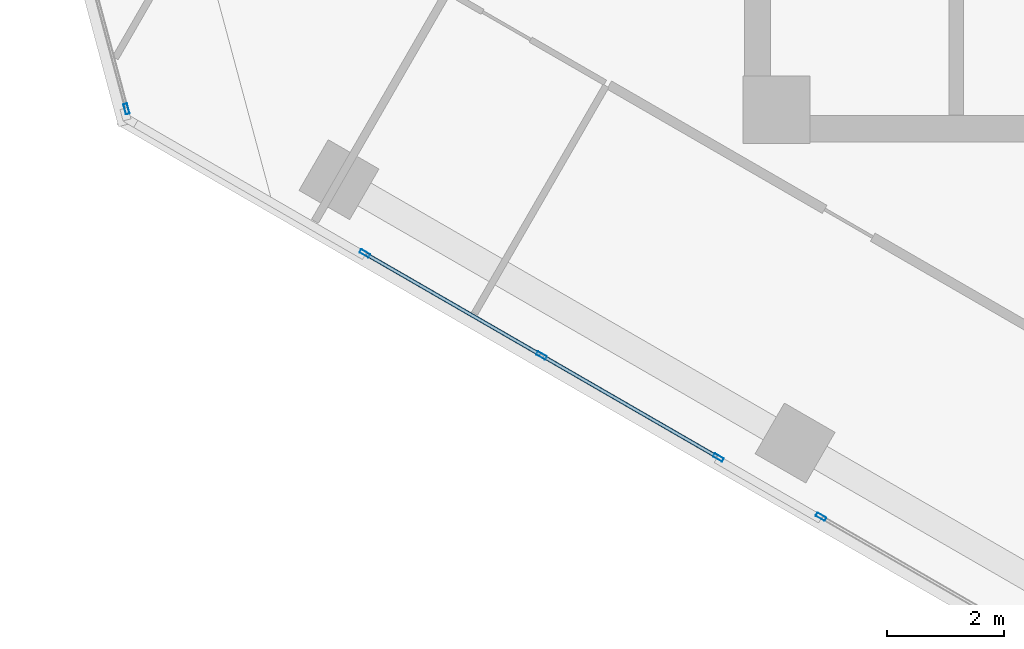
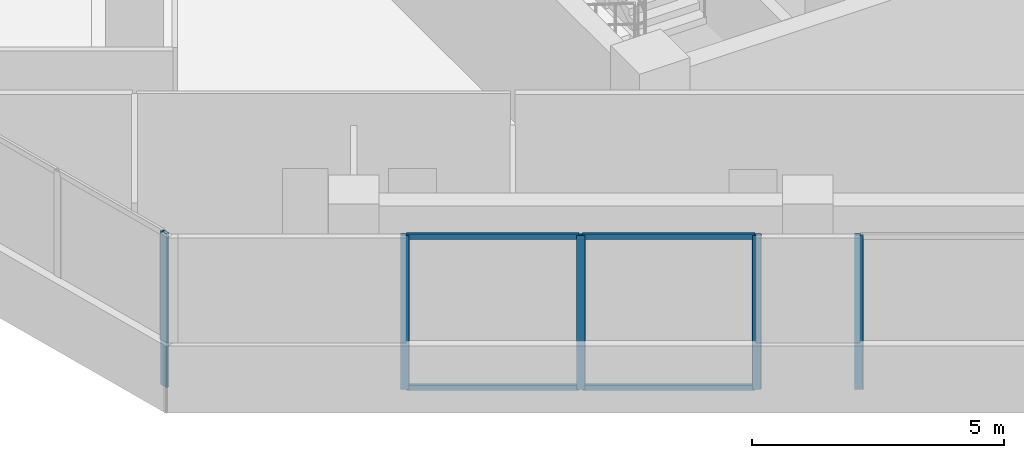
# One storey, part 2 of 21: 9 members, 3 elements without a shape of their own.
"""IFC4 building model written with IfcOpenShell, lengths in metres."""

import ifcopenshell
import ifcopenshell.guid

model = None  # the IFC model being written
_history = None  # IfcOwnerHistory: only IFC2X3 demands one
_inside = {}  # id of a spatial element -> (the spatial element, [elements in it])
_under = {}  # id of a project, library or spatial element -> (it, [spatial elements below it])
_declared = {}  # id of a project -> (the project, [libraries it declares])
_typed = {}  # id of a type object -> (the type object, [elements of that type])
_made_of = {}  # id of a material, layer set ... -> (it, [elements and type objects made of it])


def new_model(schema):
    """Start an empty IFC model of exactly this schema.

    Asked for "IFC4X3", IfcOpenShell would pick the latest addendum, in which some entities
    have other attributes; the version numbers below select the first issue.
    IFC2X3 requires an IfcOwnerHistory on every rooted entity: one is made here for all.
    """
    global model, _history
    if schema == "IFC4X3":
        model = ifcopenshell.file(schema_version=(4, 3, 0, 0))
    else:
        model = ifcopenshell.file(schema=schema)
    _inside.clear()
    _under.clear()
    _declared.clear()
    _typed.clear()
    _made_of.clear()
    _history = None
    if model.schema == "IFC2X3":
        org = make("IfcOrganization", Name="unknown")
        user = make(
            "IfcPersonAndOrganization",
            ThePerson=make("IfcPerson", FamilyName="unknown"),
            TheOrganization=org,
        )
        app = make(
            "IfcApplication",
            ApplicationDeveloper=org,
            Version="unknown",
            ApplicationFullName="unknown",
            ApplicationIdentifier="unknown",
        )
        _history = make(
            "IfcOwnerHistory",
            OwningUser=user,
            OwningApplication=app,
            ChangeAction="ADDED",
            CreationDate=0,
        )
    return model


def make(cls, **values):
    """One entity of the class cls with the attributes given. An attribute that is None is left unset."""
    return model.create_entity(
        cls, **{name: value for name, value in values.items() if value is not None}
    )


def rooted(cls, **values):
    """An entity with a GlobalId (a new one), such as an element, a storey or a relation."""
    return make(cls, GlobalId=ifcopenshell.guid.new(), OwnerHistory=_history, **values)


def si_unit(unit_type, name, prefix=None):
    """IfcSIUnit, for example si_unit("LENGTHUNIT", "METRE", prefix="MILLI")."""
    return make("IfcSIUnit", UnitType=unit_type, Prefix=prefix, Name=name)


def assignment(units):
    """IfcUnitAssignment: the units of a project."""
    return None if units is None else make("IfcUnitAssignment", Units=units)


def point(xyz):
    """IfcCartesianPoint."""
    return None if xyz is None else make("IfcCartesianPoint", Coordinates=xyz)


def direction(xyz):
    """IfcDirection."""
    return None if xyz is None else make("IfcDirection", DirectionRatios=xyz)


def frame(location, z_axis=None, x_axis=None):
    """IfcAxis2Placement3D, a coordinate frame: its origin and axes. An axis left out is left unset."""
    return make(
        "IfcAxis2Placement3D",
        Location=point(location),
        Axis=direction(z_axis),
        RefDirection=direction(x_axis),
    )


def frame_2d(location, x_axis=None):
    """IfcAxis2Placement2D, a coordinate frame in the plane: its origin and x axis."""
    return make(
        "IfcAxis2Placement2D", Location=point(location), RefDirection=direction(x_axis)
    )


def origin():
    """The frame at (0, 0, 0) with its axes left unset."""
    return frame((0.0, 0.0, 0.0))


def origin_2d():
    """The frame at (0, 0) in the plane with its x axis left unset."""
    return frame_2d((0.0, 0.0))


def place(relative_to, where):
    """IfcLocalPlacement: puts the frame where relative to a parent placement (None: the world)."""
    return make(
        "IfcLocalPlacement", PlacementRelTo=relative_to, RelativePlacement=where
    )


def context(
    kind, dimensions, precision=None, world=None, true_north=None, identifier=None
):
    """IfcGeometricRepresentationContext, for example the 3D "Model" context."""
    return make(
        "IfcGeometricRepresentationContext",
        ContextIdentifier=identifier,
        ContextType=kind,
        CoordinateSpaceDimension=dimensions,
        Precision=precision,
        WorldCoordinateSystem=world,
        TrueNorth=true_north,
    )


def subcontext(parent, identifier, kind, view, scale=None):
    """IfcGeometricRepresentationSubContext, for example "Body" below "Model"."""
    return make(
        "IfcGeometricRepresentationSubContext",
        ContextIdentifier=identifier,
        ContextType=kind,
        ParentContext=parent,
        TargetScale=scale,
        TargetView=view,
    )


def project(units=None, contexts=None):
    """IfcProject with its units and contexts."""
    return rooted(
        "IfcProject",
        Name="project",
        RepresentationContexts=contexts,
        UnitsInContext=assignment(units),
    )


def spatial(cls, under=None, at=None, **own):
    """A site, building, storey or space (cls), placed at a placement, below another one or the project."""
    s = rooted(cls, ObjectPlacement=at, **own)
    if under is not None:
        _under.setdefault(under.id(), (under, []))[1].append(s)
    return s


def profile(cls, at=None, kind="AREA", **sizes):
    """A parametric profile (cls). Its sizes go by their IFC names, for example OverallWidth=200.0."""
    return make(cls, ProfileType=kind, Position=at, **sizes)


def hollow_rectangle(**sizes):
    """IfcRectangleHollowProfileDef."""
    return profile("IfcRectangleHollowProfileDef", **sizes)


def extrude(swept, where, along, depth):
    """IfcExtrudedAreaSolid: the profile swept, set in the frame where, extruded along a direction by depth."""
    return make(
        "IfcExtrudedAreaSolid",
        SweptArea=swept,
        Position=where,
        ExtrudedDirection=direction(along),
        Depth=depth,
    )


def shape(context_of_items, identifier, shape_type, items):
    """IfcShapeRepresentation: the items that make up one representation, for example the "Body"."""
    return make(
        "IfcShapeRepresentation",
        ContextOfItems=context_of_items,
        RepresentationIdentifier=identifier,
        RepresentationType=shape_type,
        Items=items,
    )


def source(mapping_origin, context_of_items, identifier, shape_type, items):
    """IfcRepresentationMap: a shape defined once, which mapped items show again and again."""
    return make(
        "IfcRepresentationMap",
        MappingOrigin=mapping_origin,
        MappedRepresentation=shape(context_of_items, identifier, shape_type, items),
    )


def transform(
    local_origin,
    x_axis=None,
    y_axis=None,
    z_axis=None,
    scale=None,
    scale2=None,
    scale3=None,
    uniform=True,
):
    """IfcCartesianTransformationOperator3D, or its non-uniform kind. x_axis, y_axis, z_axis: its Axis1, 2, 3."""
    if uniform:
        return make(
            "IfcCartesianTransformationOperator3D",
            Axis1=direction(x_axis),
            Axis2=direction(y_axis),
            LocalOrigin=point(local_origin),
            Scale=scale,
            Axis3=direction(z_axis),
        )
    return make(
        "IfcCartesianTransformationOperator3DnonUniform",
        Axis1=direction(x_axis),
        Axis2=direction(y_axis),
        LocalOrigin=point(local_origin),
        Scale=scale,
        Axis3=direction(z_axis),
        Scale2=scale2,
        Scale3=scale3,
    )


def mapped(mapping_source, mapping_target):
    """IfcMappedItem: shows the shape of a source again, moved by a transform."""
    return make(
        "IfcMappedItem", MappingSource=mapping_source, MappingTarget=mapping_target
    )


def material(Name=None, Category=None):
    """IfcMaterial."""
    return make("IfcMaterial", Name=Name, Category=Category)


def material_profile(
    of_material, cross_section, Name=None, Category=None, Priority=None
):
    """IfcMaterialProfile: a cross section and its material."""
    return make(
        "IfcMaterialProfile",
        Name=Name,
        Material=of_material,
        Profile=cross_section,
        Priority=Priority,
        Category=Category,
    )


def profile_set(profiles, Name=None, composite=None):
    """IfcMaterialProfileSet."""
    return make(
        "IfcMaterialProfileSet",
        Name=Name,
        MaterialProfiles=profiles,
        CompositeProfile=composite,
    )


def made_of(thing, what):
    """Note that an element or type object is made of a material, layer set ...; save() writes the relation."""
    if what is not None:
        _made_of.setdefault(what.id(), (what, []))[1].append(thing)
    return thing


def type_object(cls, material=None, **own):
    """A type object (cls), such as IfcWallType, which elements share."""
    return made_of(rooted(cls, **own), material)


def element(
    cls,
    number,
    at=None,
    inside=None,
    cuts=None,
    type_object=None,
    material=None,
    context=None,
    identifier="Body",
    shape_type=None,
    held_by="IfcProductDefinitionShape",
    body=None,
    shapes=None,
    **own,
):
    """One element of the class cls, such as IfcWall. Its Tag is "e" and its number.

    at: its placement. inside: the storey or other place that contains it. cuts: it is an
    opening in that element (IfcRelVoidsElement). A single representation is given by context,
    identifier, shape_type and body (its items); several are given by shapes. held_by: the class
    of the entity that holds the representations. save() writes the other relations.
    """
    e = rooted(cls, Tag="e%d" % number, ObjectPlacement=at, **own)
    if body is not None:
        shapes = [shape(context, identifier, shape_type, body)]
    if shapes is not None:
        e.Representation = make(held_by, Representations=shapes)
    if inside is not None:
        _inside.setdefault(inside.id(), (inside, []))[1].append(e)
    if cuts is not None:
        rooted(
            "IfcRelVoidsElement", RelatingBuildingElement=cuts, RelatedOpeningElement=e
        )
    if type_object is not None:
        _typed.setdefault(type_object.id(), (type_object, []))[1].append(e)
    return made_of(e, material)


def aggregate(whole, parts):
    """IfcRelAggregates: a whole, such as a stair, and the parts it consists of."""
    return rooted("IfcRelAggregates", RelatingObject=whole, RelatedObjects=parts)


def save(model, path):
    """Write the relations noted so far, then the file.

    IfcRelAggregates (storeys below a building ...), IfcRelContainedInSpatialStructure (elements
    in a storey), IfcRelDefinesByType, IfcRelAssociatesMaterial and IfcRelDeclares: one each for
    every whole, place, type object, material and project.
    """
    for whole, parts in _under.values():
        aggregate(whole, parts)
    for where, things in _inside.values():
        rooted(
            "IfcRelContainedInSpatialStructure",
            RelatedElements=things,
            RelatingStructure=where,
        )
    for kind, things in _typed.values():
        rooted("IfcRelDefinesByType", RelatedObjects=things, RelatingType=kind)
    for what, things in _made_of.values():
        rooted("IfcRelAssociatesMaterial", RelatedObjects=things, RelatingMaterial=what)
    for by, libraries in _declared.values():
        rooted("IfcRelDeclares", RelatingContext=by, RelatedDefinitions=libraries)
    model.write(path)


model = new_model("IFC4")

# Units and contexts
model_context = context("Model", 3, precision=1e-05, world=origin(), true_north=direction((0.0, 1.0)))
body_context = subcontext(model_context, "Body", "Model", "MODEL_VIEW")
ifc_project = project(units=[si_unit("LENGTHUNIT", "METRE"), si_unit("AREAUNIT", "SQUARE_METRE"), si_unit("VOLUMEUNIT", "CUBIC_METRE"), si_unit("PLANEANGLEUNIT", "RADIAN"), si_unit("MASSUNIT", "GRAM", prefix="KILO")], contexts=[model_context])

# Site, building, storey
site_placement = place(None, origin())
site = spatial("IfcSite", under=ifc_project, at=site_placement, CompositionType="ELEMENT")
building_placement = place(site_placement, origin())
building = spatial("IfcBuilding", under=site, at=building_placement, Name="Torre Montelarca", CompositionType="ELEMENT")
storey_placement = place(building_placement, frame((0.0, 0.0, 179.199951171875)))
storey = spatial("IfcBuildingStorey", under=building, at=storey_placement, Name="L40", CompositionType="ELEMENT", Elevation=179.199951171875)

# Curtain wall, members
ifc_material_1 = material(Name="Insulated low-E laminated glass", Category="glass")
curtain_wall_type = type_object("IfcCurtainWallType", Name="CW-SYS-Z2", PredefinedType="USERDEFINED", material=ifc_material_1)
curtain_wall_1_placement = place(storey_placement, origin())
curtain_wall_1 = element("IfcCurtainWall", 1, at=curtain_wall_1_placement, inside=storey, type_object=curtain_wall_type, Name="L40 Curtain Wall Run CW-T3-L40-E01-B1", ObjectType="UNITISED GLAZING", PredefinedType="USERDEFINED")
ifc_material_2 = material(Name="Anodised aluminium AA 6063-T6", Category="aluminium")
ifc_material_profile_1 = material_profile(ifc_material_2, hollow_rectangle(XDim=0.06494140625, YDim=0.179931640625, WallThickness=0.00390625, InnerFilletRadius=0.00390625, OuterFilletRadius=0.008056640625, at=origin_2d()), Name="ALU65X180X4", Category="aluminium")
ifc_profile_set_1 = profile_set([ifc_material_profile_1], Name="Anodised aluminium AA 6063-T6")
member_type_1 = type_object("IfcMemberType", Name="CWM-ALU180", PredefinedType="MULLION", material=ifc_profile_set_1)
shared_shape_1 = source(origin(), body_context, "Body", "SweptSolid", [
    extrude(hollow_rectangle(XDim=0.06494140625, YDim=0.179931640625, WallThickness=0.00390625, InnerFilletRadius=0.00390625, OuterFilletRadius=0.008056640625, at=origin_2d()), origin(), (0.0, 0.0, 1.0), 3.719970703125),
])
member_1_placement = place(storey_placement, frame((2.5166015625, 22.0947265625, 0.0), z_axis=(0.0, 0.0, 1.0), x_axis=(0.500001158972, 0.866024734651, 0.0)))
member_1 = element("IfcMember", 2, at=member_1_placement, type_object=member_type_1, Name="CW mullion 1", PredefinedType="MULLION", context=body_context, shape_type="MappedRepresentation", body=[
    mapped(shared_shape_1, transform((0.0, 0.0, 0.0), scale=1.0)),
])
member_2_placement = place(storey_placement, frame((5.536865234375, 20.350830078125, 0.0), z_axis=(0.0, 0.0, 1.0), x_axis=(0.500001158972, 0.866024734651, 0.0)))
member_2 = element("IfcMember", 3, at=member_2_placement, type_object=member_type_1, Name="CW mullion 2", PredefinedType="MULLION", context=body_context, shape_type="MappedRepresentation", body=[
    mapped(shared_shape_1, transform((0.0, 0.0, 0.0), scale=1.0)),
])
member_3_placement = place(storey_placement, frame((8.55712890625, 18.607177734375, 0.0), z_axis=(0.0, 0.0, 1.0), x_axis=(0.500001158972, 0.866024734651, 0.0)))
member_3 = element("IfcMember", 4, at=member_3_placement, type_object=member_type_1, Name="CW mullion 3", PredefinedType="MULLION", context=body_context, shape_type="MappedRepresentation", body=[
    mapped(shared_shape_1, transform((0.0, 0.0, 0.0), scale=1.0)),
])

# Curtain wall, member
curtain_wall_2_placement = place(storey_placement, origin())
curtain_wall_2 = element("IfcCurtainWall", 5, at=curtain_wall_2_placement, inside=storey, type_object=curtain_wall_type, Name="L40 Curtain Wall Run CW-T3-L40-E01-B2", ObjectType="UNITISED GLAZING", PredefinedType="USERDEFINED")
member_4_placement = place(storey_placement, frame((10.310791015625, 17.5947265625, 0.0), z_axis=(0.0, 0.0, 1.0), x_axis=(0.500004161515, 0.866023001119, 0.0)))
member_4 = element("IfcMember", 6, at=member_4_placement, type_object=member_type_1, Name="CW mullion 1", PredefinedType="MULLION", context=body_context, shape_type="MappedRepresentation", body=[
    mapped(shared_shape_1, transform((0.0, 0.0, 0.0), scale=1.0)),
])
aggregate(curtain_wall_2, [member_4])

curtain_wall_3_placement = place(storey_placement, origin())
curtain_wall_3 = element("IfcCurtainWall", 7, at=curtain_wall_3_placement, inside=storey, type_object=curtain_wall_type, Name="L40 Curtain Wall Run CW-T3-L40-E11-B1", ObjectType="UNITISED GLAZING", PredefinedType="USERDEFINED")
member_5_placement = place(storey_placement, frame((-1.555419921875, 24.5634765625, 0.0), z_axis=(0.0, 0.0, 1.0), x_axis=(0.965928294635, 0.258809832936, 0.0)))
member_5 = element("IfcMember", 8, at=member_5_placement, type_object=member_type_1, Name="CW mullion 3", PredefinedType="MULLION", context=body_context, shape_type="MappedRepresentation", body=[
    mapped(shared_shape_1, transform((0.0, 0.0, 0.0), scale=1.0)),
])
aggregate(curtain_wall_3, [member_5])

# Member
ifc_material_profile_2 = material_profile(ifc_material_2, hollow_rectangle(XDim=0.06494140625, YDim=0.139892578125, WallThickness=0.00390625, InnerFilletRadius=0.00390625, OuterFilletRadius=0.008056640625, at=origin_2d()), Name="ALU65X140X4", Category="aluminium")
ifc_profile_set_2 = profile_set([ifc_material_profile_2], Name="Anodised aluminium AA 6063-T6")
member_type_2 = type_object("IfcMemberType", Name="CWT-ALU140", PredefinedType="USERDEFINED", material=ifc_profile_set_2)
shared_shape_2 = source(origin(), body_context, "Body", "SweptSolid", [
    extrude(hollow_rectangle(XDim=0.06494140625, YDim=0.139892578125, WallThickness=0.00390625, InnerFilletRadius=0.00390625, OuterFilletRadius=0.008056640625, at=origin_2d()), origin(), (0.0, 0.0, 1.0), 3.422607421875),
])
member_6_placement = place(storey_placement, frame((5.56494140625, 20.334716796875, 0.032470703125), z_axis=(0.865995510393, -0.500051773299, 0.0), x_axis=(0.500051773299, 0.865995510393, 0.0)))
member_6 = element("IfcMember", 9, at=member_6_placement, type_object=member_type_2, Name="CW transom 2.1", ObjectType="TRANSOM", PredefinedType="USERDEFINED", context=body_context, shape_type="MappedRepresentation", body=[
    mapped(shared_shape_2, transform((0.0, 0.0, 0.0), scale=1.0)),
])

member_7_placement = place(storey_placement, frame((5.56494140625, 20.334716796875, 3.6875), z_axis=(0.865995510393, -0.500051773299, 0.0), x_axis=(0.500051773299, 0.865995510393, 0.0)))
member_7 = element("IfcMember", 10, at=member_7_placement, type_object=member_type_2, Name="CW transom 2.2", ObjectType="TRANSOM", PredefinedType="USERDEFINED", context=body_context, shape_type="MappedRepresentation", body=[
    mapped(shared_shape_2, transform((0.0, 0.0, 0.0), scale=1.0)),
])

shared_shape_3 = source(origin(), body_context, "Body", "SweptSolid", [
    extrude(hollow_rectangle(XDim=0.06494140625, YDim=0.139892578125, WallThickness=0.00390625, InnerFilletRadius=0.00390625, OuterFilletRadius=0.008056640625, at=origin_2d()), origin(), (0.0, 0.0, 1.0), 3.42236328125),
])
member_8_placement = place(storey_placement, frame((2.544677734375, 22.078369140625, 0.032470703125), z_axis=(0.866026400529, -0.499998273584, 0.0), x_axis=(0.499998273584, 0.866026400529, 0.0)))
member_8 = element("IfcMember", 11, at=member_8_placement, type_object=member_type_2, Name="CW transom 1.1", ObjectType="TRANSOM", PredefinedType="USERDEFINED", context=body_context, shape_type="MappedRepresentation", body=[
    mapped(shared_shape_3, transform((0.0, 0.0, 0.0), scale=1.0)),
])

member_9_placement = place(storey_placement, frame((2.544677734375, 22.078369140625, 3.6875), z_axis=(0.866026400529, -0.499998273584, 0.0), x_axis=(0.499998273584, 0.866026400529, 0.0)))
member_9 = element("IfcMember", 12, at=member_9_placement, type_object=member_type_2, Name="CW transom 1.2", ObjectType="TRANSOM", PredefinedType="USERDEFINED", context=body_context, shape_type="MappedRepresentation", body=[
    mapped(shared_shape_3, transform((0.0, 0.0, 0.0), scale=1.0)),
])

aggregate(curtain_wall_1, [member_1, member_2, member_3, member_8, member_9, member_6, member_7])

save(model, "model.ifc")
